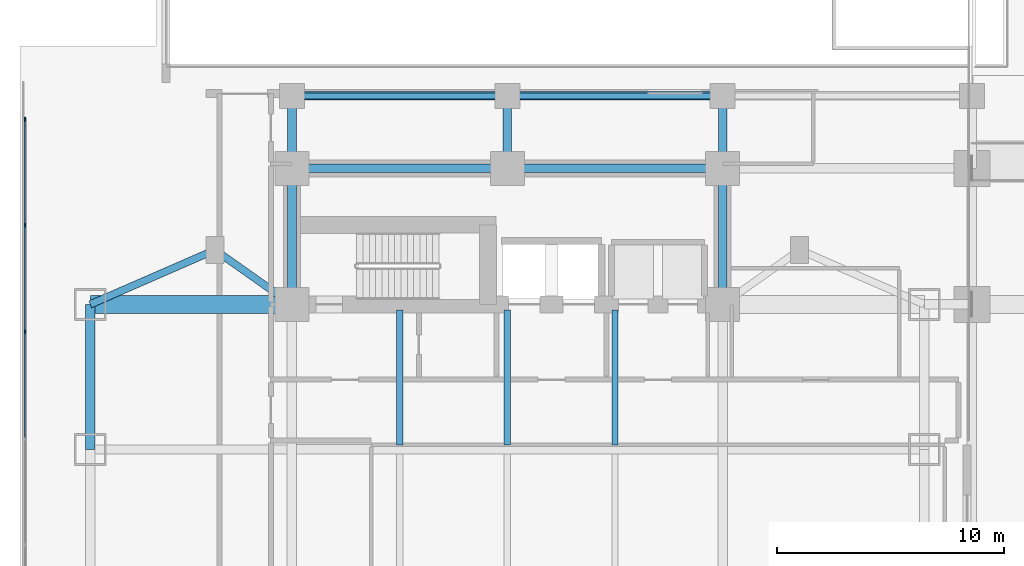
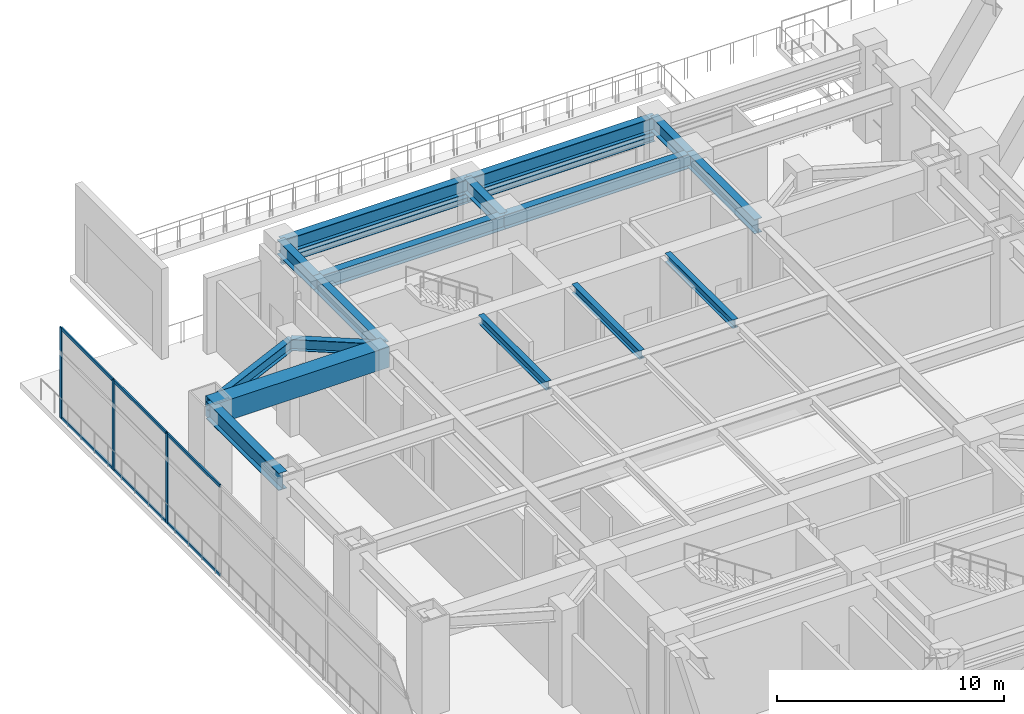
# One storey, part 5 of 27: 18 beams, 9 members, 1 element without a shape of its own.
"""IFC4 building model written with IfcOpenShell, lengths in metres."""

from ifc_helpers import new_model, si_unit, direction, frame, origin, origin_2d, place, context, subcontext, project, spatial, rectangle, i_section, extrude, material, material_profile, profile_set, type_object, element, aggregate, save


model = new_model("IFC4")

# Units and contexts
model_context = context("Model", 3, precision=1e-05, world=origin(), true_north=direction((0.0, 1.0)))
body_context = subcontext(model_context, "Body", "Model", "MODEL_VIEW")
ifc_project = project(units=[si_unit("LENGTHUNIT", "METRE"), si_unit("AREAUNIT", "SQUARE_METRE"), si_unit("VOLUMEUNIT", "CUBIC_METRE"), si_unit("PLANEANGLEUNIT", "RADIAN"), si_unit("MASSUNIT", "GRAM", prefix="KILO")], contexts=[model_context])

# Site, building, storey
site_placement = place(None, origin())
site = spatial("IfcSite", under=ifc_project, at=site_placement, CompositionType="ELEMENT")
building_placement = place(site_placement, origin())
building = spatial("IfcBuilding", under=site, at=building_placement, Name="Mirazonda Arch Towers", CompositionType="ELEMENT")
storey_placement = place(building_placement, origin())
storey = spatial("IfcBuildingStorey", under=building, at=storey_placement, Name="L00", CompositionType="ELEMENT", Elevation=0.0)

# Beams
ifc_material_1 = material(Name="Steel ASTM A992 Grade 50", Category="steel")
ifc_material_profile_1 = material_profile(ifc_material_1, i_section(OverallWidth=0.25390625, OverallDepth=0.320068359375, WebThickness=0.0087890625, FlangeThickness=0.0146484375, at=origin_2d()), Name="W12X53")
ifc_profile_set_1 = profile_set([ifc_material_profile_1], Name="Steel ASTM A992 Grade 50")
beam_type_1 = type_object("IfcBeamType", Name="BM-EXT-W12X53", PredefinedType="LINTEL", material=ifc_profile_set_1)
for number, where, z_axis, x_axis, name in (
    (1, (11.0, 46.800048828125, 3.699951171875), (1.0, 0.0, 0.0), (0.0, 1.0, 0.0), "L00 Facade Opening Lintel LNT-N1"),
    (2, (20.5, 46.800048828125, 3.699951171875), (1.0, 0.0, 0.0), (0.0, 1.0, 0.0), "L00 Facade Opening Lintel LNT-N2"),
):
    element("IfcBeam", number, at=place(storey_placement, frame(where, z_axis=z_axis, x_axis=x_axis)), inside=storey, type_object=beam_type_1, Name=name, PredefinedType="LINTEL", context=body_context, shape_type="SweptSolid", body=[
        extrude(i_section(OverallWidth=0.25390625, OverallDepth=0.320068359375, WebThickness=0.0087890625, FlangeThickness=0.0146484375, at=origin_2d()), origin(), (0.0, 0.0, 1.0), 9.5),
    ])
ifc_material_profile_2 = material_profile(ifc_material_1, i_section(OverallWidth=0.381103515625, OverallDepth=0.77294921875, WebThickness=0.0166015625, FlangeThickness=0.027099609375, at=origin_2d()), Name="W30X173")
ifc_profile_set_2 = profile_set([ifc_material_profile_2], Name="Steel ASTM A992 Grade 50")
beam_type_2 = type_object("IfcBeamType", Name="BM-EXT-W30X173", PredefinedType="USERDEFINED", material=ifc_profile_set_2)
for number, where, z_axis, x_axis, name in (
    (3, (11.0, 46.800048828125, 4.493408203125), (1.0, 0.0, 0.0), (0.0, 1.0, 0.0), "L00 Floor Beam BM-POD-L00-PN-1"),
    (4, (20.5, 46.800048828125, 4.493408203125), (1.0, 0.0, 0.0), (0.0, 1.0, 0.0), "L00 Floor Beam BM-POD-L00-PN-2"),
):
    element("IfcBeam", number, at=place(storey_placement, frame(where, z_axis=z_axis, x_axis=x_axis)), inside=storey, type_object=beam_type_2, Name=name, ObjectType="GIRDER", PredefinedType="USERDEFINED", context=body_context, shape_type="SweptSolid", body=[
        extrude(i_section(OverallWidth=0.381103515625, OverallDepth=0.77294921875, WebThickness=0.0166015625, FlangeThickness=0.027099609375, at=origin_2d()), origin(), (0.0, 0.0, 1.0), 9.5),
    ])
ifc_material_profile_3 = material_profile(ifc_material_1, i_section(OverallWidth=0.41796875, OverallDepth=0.927001953125, WebThickness=0.019287109375, FlangeThickness=0.031982421875, at=origin_2d()), Name="W36X231")
ifc_profile_set_3 = profile_set([ifc_material_profile_3], Name="Steel ASTM A992 Grade 50")
beam_type_3 = type_object("IfcBeamType", Name="BM-EXT-W36X231", PredefinedType="USERDEFINED", material=ifc_profile_set_3)
beam_1_placement = place(storey_placement, frame((2.10009765625, 31.199951171875, 4.41650390625), z_axis=(0.0, 1.0, 0.0), x_axis=(-1.0, 0.0, 0.0)))
element("IfcBeam", 5, at=beam_1_placement, inside=storey, type_object=beam_type_3, Name="L00 Floor Beam BM-T1-L00-NS-W-31", ObjectType="GIRDER", PredefinedType="USERDEFINED", context=body_context, shape_type="SweptSolid", body=[
    extrude(i_section(OverallWidth=0.41796875, OverallDepth=0.927001953125, WebThickness=0.019287109375, FlangeThickness=0.031982421875, at=origin_2d()), origin(), (0.0, 0.0, 1.0), 6.400146484375),
])
ifc_material_profile_4 = material_profile(ifc_material_1, i_section(OverallWidth=0.280029296875, OverallDepth=0.462890625, WebThickness=0.0107421875, FlangeThickness=0.017333984375, at=origin_2d()), Name="W18X76")
ifc_profile_set_4 = profile_set([ifc_material_profile_4], Name="Steel ASTM A992 Grade 50")
beam_type_4 = type_object("IfcBeamType", Name="BM-INT-W18X76", PredefinedType="JOIST", material=ifc_profile_set_4)
for number, where, z_axis, x_axis, name in (
    (6, (15.75, 31.406005859375, 4.6484375), (0.0, 1.0, 0.0), (-1.0, 0.0, 0.0), "L00 Floor Beam BM-T1-L00-J-157-31"),
    (7, (20.5, 31.406005859375, 4.6484375), (0.0, 1.0, 0.0), (-1.0, 0.0, 0.0), "L00 Floor Beam BM-T1-L00-J-205-31"),
    (8, (25.25, 31.406005859375, 4.6484375), (0.0, 1.0, 0.0), (-1.0, 0.0, 0.0), "L00 Floor Beam BM-T1-L00-J-252-31"),
):
    element("IfcBeam", number, at=place(storey_placement, frame(where, z_axis=z_axis, x_axis=x_axis)), inside=storey, type_object=beam_type_4, Name=name, PredefinedType="JOIST", context=body_context, shape_type="SweptSolid", body=[
        extrude(i_section(OverallWidth=0.280029296875, OverallDepth=0.462890625, WebThickness=0.0107421875, FlangeThickness=0.017333984375, at=origin_2d()), origin(), (0.0, 0.0, 1.0), 5.9541015625),
    ])
ifc_material_profile_5 = material_profile(ifc_material_1, i_section(OverallWidth=0.324951171875, OverallDepth=0.615966796875, WebThickness=0.013916015625, FlangeThickness=0.021484375, at=origin_2d()), Name="W24X117")
ifc_profile_set_5 = profile_set([ifc_material_profile_5], Name="Steel ASTM A992 Grade 50")
beam_type_5 = type_object("IfcBeamType", Name="BM-INT-W24X117", PredefinedType="BEAM", material=ifc_profile_set_5)
beam_2_placement = place(storey_placement, frame((7.60009765625, 40.0, 4.572021484375), z_axis=(0.816971114901, -0.576678591087, 0.0), x_axis=(0.576678591087, 0.816971114901, 0.0)))
element("IfcBeam", 9, at=beam_2_placement, inside=storey, type_object=beam_type_5, Name="L00 Floor Beam BM-T1-L00-PL-NW1", PredefinedType="BEAM", context=body_context, shape_type="SweptSolid", body=[
    extrude(i_section(OverallWidth=0.324951171875, OverallDepth=0.615966796875, WebThickness=0.013916015625, FlangeThickness=0.021484375, at=origin_2d()), origin(), (0.0, 0.0, 1.0), 4.16162109375),
])
beam_3_placement = place(storey_placement, frame((7.60009765625, 40.0, 4.572021484375), z_axis=(-0.916545343703, -0.399930785183, 0.0), x_axis=(0.399930785183, -0.916545343703, 0.0)))
element("IfcBeam", 10, at=beam_3_placement, inside=storey, type_object=beam_type_5, Name="L00 Floor Beam BM-T1-L00-PL-NW2", PredefinedType="BEAM", context=body_context, shape_type="SweptSolid", body=[
    extrude(i_section(OverallWidth=0.324951171875, OverallDepth=0.615966796875, WebThickness=0.013916015625, FlangeThickness=0.021484375, at=origin_2d()), origin(), (0.0, 0.0, 1.0), 6.000732421875),
])
ifc_material_profile_6 = material_profile(ifc_material_1, i_section(OverallWidth=0.381103515625, OverallDepth=0.77294921875, WebThickness=0.0166015625, FlangeThickness=0.027099609375, at=origin_2d()), Name="W30X173")
ifc_profile_set_6 = profile_set([ifc_material_profile_6], Name="Steel ASTM A992 Grade 50")
beam_type_6 = type_object("IfcBeamType", Name="BM-INT-W30X173", PredefinedType="USERDEFINED", material=ifc_profile_set_6)
for number, where, z_axis, x_axis, name in (
    (11, (11.0, 43.60009765625, 4.493408203125), (1.0, 0.0, 0.0), (0.0, 1.0, 0.0), "L00 Floor Beam BM-T1-L00-CN1"),
    (12, (20.5, 43.60009765625, 4.493408203125), (1.0, 0.0, 0.0), (0.0, 1.0, 0.0), "L00 Floor Beam BM-T1-L00-CN2"),
):
    element("IfcBeam", number, at=place(storey_placement, frame(where, z_axis=z_axis, x_axis=x_axis)), inside=storey, type_object=beam_type_6, Name=name, ObjectType="GIRDER", PredefinedType="USERDEFINED", context=body_context, shape_type="SweptSolid", body=[
        extrude(i_section(OverallWidth=0.381103515625, OverallDepth=0.77294921875, WebThickness=0.0166015625, FlangeThickness=0.027099609375, at=origin_2d()), origin(), (0.0, 0.0, 1.0), 9.5),
    ])
for number, where, z_axis, x_axis, name in (
    (13, (11.0, 37.60009765625, 4.493408203125), (0.0, 1.0, 0.0), (-1.0, 0.0, 0.0), "L00 Floor Beam BM-T1-L00-CNW"),
    (14, (30.0, 37.60009765625, 4.493408203125), (0.0, 1.0, 0.0), (-1.0, 0.0, 0.0), "L00 Floor Beam BM-T1-L00-CNE"),
):
    element("IfcBeam", number, at=place(storey_placement, frame(where, z_axis=z_axis, x_axis=x_axis)), inside=storey, type_object=beam_type_6, Name=name, ObjectType="GIRDER", PredefinedType="USERDEFINED", context=body_context, shape_type="SweptSolid", body=[
        extrude(i_section(OverallWidth=0.381103515625, OverallDepth=0.77294921875, WebThickness=0.0166015625, FlangeThickness=0.027099609375, at=origin_2d()), origin(), (0.0, 0.0, 1.0), 6.0),
    ])
for number, where, z_axis, x_axis, name in (
    (15, (11.0, 43.60009765625, 4.493408203125), (0.0, 1.0, 0.0), (-1.0, 0.0, 0.0), "L00 Floor Beam BM-POD-L00-PCN-1"),
    (16, (20.5, 43.60009765625, 4.493408203125), (0.0, 1.0, 0.0), (-1.0, 0.0, 0.0), "L00 Floor Beam BM-POD-L00-PCN-2"),
    (17, (30.0, 43.60009765625, 4.493408203125), (0.0, 1.0, 0.0), (-1.0, 0.0, 0.0), "L00 Floor Beam BM-POD-L00-PCN-3"),
):
    element("IfcBeam", number, at=place(storey_placement, frame(where, z_axis=z_axis, x_axis=x_axis)), inside=storey, type_object=beam_type_6, Name=name, ObjectType="GIRDER", PredefinedType="USERDEFINED", context=body_context, shape_type="SweptSolid", body=[
        extrude(i_section(OverallWidth=0.381103515625, OverallDepth=0.77294921875, WebThickness=0.0166015625, FlangeThickness=0.027099609375, at=origin_2d()), origin(), (0.0, 0.0, 1.0), 3.199951171875),
    ])
ifc_material_2 = material(Name="Concrete C60/75", Category="concrete")
ifc_material_profile_7 = material_profile(ifc_material_2, rectangle(XDim=0.800048828125, YDim=1.10009765625, at=origin_2d()), Name="RCCB800x1100")
ifc_profile_set_7 = profile_set([ifc_material_profile_7], Name="Concrete C60/75")
beam_type_7 = type_object("IfcBeamType", Name="CB-INT-RCCB800x1100", PredefinedType="SPANDREL", material=ifc_profile_set_7)
beam_4_placement = place(storey_placement, frame((2.10009765625, 37.60009765625, 4.330078125), z_axis=(1.0, 0.0, 0.0), x_axis=(0.0, 1.0, 0.0)))
element("IfcBeam", 18, at=beam_4_placement, inside=storey, type_object=beam_type_7, Name="L00 Floor Beam CB-T1-L00-NW", PredefinedType="SPANDREL", context=body_context, shape_type="SweptSolid", body=[
    extrude(rectangle(XDim=0.800048828125, YDim=1.10009765625, at=origin_2d()), origin(), (0.0, 0.0, 1.0), 8.89990234375),
])

# Curtain wall, members
ifc_material_3 = material(Name="Anodised Aluminium and Low-E Glass", Category="aluminium")
curtain_wall_type = type_object("IfcCurtainWallType", Name="CW-POD-STORE", PredefinedType="NOTDEFINED", material=ifc_material_3)
curtain_wall_placement = place(storey_placement, origin())
curtain_wall = element("IfcCurtainWall", 19, at=curtain_wall_placement, inside=storey, type_object=curtain_wall_type, Name="L00 West Storefront CW-L00-WW1", PredefinedType="NOTDEFINED")
ifc_material_4 = material(Name="Anodised Aluminium Alloy", Category="aluminium")
ifc_material_profile_8 = material_profile(ifc_material_4, rectangle(XDim=0.080078125, YDim=0.179931640625, at=origin_2d()), Name="ALU-MULL-80x180")
ifc_profile_set_8 = profile_set([ifc_material_profile_8], Name="Anodised Aluminium Alloy")
member_type_1 = type_object("IfcMemberType", Name="MULL-CW-POD-STORE", PredefinedType="MULLION", material=ifc_profile_set_8)
member_1_placement = place(storey_placement, frame((-0.780029296875, 36.39990234375, 0.0), z_axis=(0.0, 0.0, 1.0), x_axis=(-1.0, 0.0, 0.0)))
member_1 = element("IfcMember", 20, at=member_1_placement, type_object=member_type_1, Name="CW-102 mullion 7", PredefinedType="MULLION", context=body_context, shape_type="SweptSolid", body=[
    extrude(rectangle(XDim=0.080078125, YDim=0.179931640625, at=origin_2d()), origin(), (0.0, 0.0, 1.0), 4.860107421875),
])
member_2_placement = place(storey_placement, frame((-0.780029296875, 41.10009765625, 0.0), z_axis=(0.0, 0.0, 1.0), x_axis=(-1.0, 0.0, 0.0)))
member_2 = element("IfcMember", 21, at=member_2_placement, type_object=member_type_1, Name="CW-102 mullion 8", PredefinedType="MULLION", context=body_context, shape_type="SweptSolid", body=[
    extrude(rectangle(XDim=0.080078125, YDim=0.179931640625, at=origin_2d()), origin(), (0.0, 0.0, 1.0), 4.860107421875),
])
member_3_placement = place(storey_placement, frame((-0.780029296875, 45.760009765625, 0.0), z_axis=(0.0, 0.0, 1.0), x_axis=(-1.0, 0.0, 0.0)))
member_3 = element("IfcMember", 22, at=member_3_placement, type_object=member_type_1, Name="CW-102 mullion 9", PredefinedType="MULLION", context=body_context, shape_type="SweptSolid", body=[
    extrude(rectangle(XDim=0.080078125, YDim=0.179931640625, at=origin_2d()), origin(), (0.0, 0.0, 1.0), 4.860107421875),
])
ifc_material_profile_9 = material_profile(ifc_material_4, rectangle(XDim=0.080078125, YDim=0.159912109375, at=origin_2d()), Name="ALU-TRAN-80x160")
ifc_profile_set_9 = profile_set([ifc_material_profile_9], Name="Anodised Aluminium Alloy")
member_type_2 = type_object("IfcMemberType", Name="TRAN-CW-POD-STORE", PredefinedType="USERDEFINED", material=ifc_profile_set_9)
member_4_placement = place(storey_placement, frame((-0.780029296875, 31.739990234375, 0.0400390625), z_axis=(0.0, 1.0, 0.0), x_axis=(-1.0, 0.0, 0.0)))
member_4 = element("IfcMember", 23, at=member_4_placement, type_object=member_type_2, Name="CW-102 transom 6.1", ObjectType="TRANSOM", PredefinedType="USERDEFINED", context=body_context, shape_type="SweptSolid", body=[
    extrude(rectangle(XDim=0.080078125, YDim=0.159912109375, at=origin_2d()), origin(), (0.0, 0.0, 1.0), 4.6201171875),
])
member_5_placement = place(storey_placement, frame((-0.780029296875, 31.739990234375, 4.820068359375), z_axis=(0.0, 1.0, 0.0), x_axis=(-1.0, 0.0, 0.0)))
member_5 = element("IfcMember", 24, at=member_5_placement, type_object=member_type_2, Name="CW-102 transom 6.2", ObjectType="TRANSOM", PredefinedType="USERDEFINED", context=body_context, shape_type="SweptSolid", body=[
    extrude(rectangle(XDim=0.080078125, YDim=0.159912109375, at=origin_2d()), origin(), (0.0, 0.0, 1.0), 4.6201171875),
])
member_6_placement = place(storey_placement, frame((-0.780029296875, 36.43994140625, 0.0400390625), z_axis=(0.0, 1.0, 0.0), x_axis=(-1.0, 0.0, 0.0)))
member_6 = element("IfcMember", 25, at=member_6_placement, type_object=member_type_2, Name="CW-102 transom 7.1", ObjectType="TRANSOM", PredefinedType="USERDEFINED", context=body_context, shape_type="SweptSolid", body=[
    extrude(rectangle(XDim=0.080078125, YDim=0.159912109375, at=origin_2d()), origin(), (0.0, 0.0, 1.0), 4.6201171875),
])
member_7_placement = place(storey_placement, frame((-0.780029296875, 36.43994140625, 4.820068359375), z_axis=(0.0, 1.0, 0.0), x_axis=(-1.0, 0.0, 0.0)))
member_7 = element("IfcMember", 26, at=member_7_placement, type_object=member_type_2, Name="CW-102 transom 7.2", ObjectType="TRANSOM", PredefinedType="USERDEFINED", context=body_context, shape_type="SweptSolid", body=[
    extrude(rectangle(XDim=0.080078125, YDim=0.159912109375, at=origin_2d()), origin(), (0.0, 0.0, 1.0), 4.6201171875),
])
member_8_placement = place(storey_placement, frame((-0.780029296875, 41.139892578125, 0.0400390625), z_axis=(0.0, 1.0, 0.0), x_axis=(-1.0, 0.0, 0.0)))
member_8 = element("IfcMember", 27, at=member_8_placement, type_object=member_type_2, Name="CW-102 transom 8.1", ObjectType="TRANSOM", PredefinedType="USERDEFINED", context=body_context, shape_type="SweptSolid", body=[
    extrude(rectangle(XDim=0.080078125, YDim=0.159912109375, at=origin_2d()), origin(), (0.0, 0.0, 1.0), 4.580078125),
])
member_9_placement = place(storey_placement, frame((-0.780029296875, 41.139892578125, 4.820068359375), z_axis=(0.0, 1.0, 0.0), x_axis=(-1.0, 0.0, 0.0)))
member_9 = element("IfcMember", 28, at=member_9_placement, type_object=member_type_2, Name="CW-102 transom 8.2", ObjectType="TRANSOM", PredefinedType="USERDEFINED", context=body_context, shape_type="SweptSolid", body=[
    extrude(rectangle(XDim=0.080078125, YDim=0.159912109375, at=origin_2d()), origin(), (0.0, 0.0, 1.0), 4.580078125),
])
aggregate(curtain_wall, [member_1, member_2, member_3, member_4, member_5, member_6, member_7, member_8, member_9])

save(model, "model.ifc")
